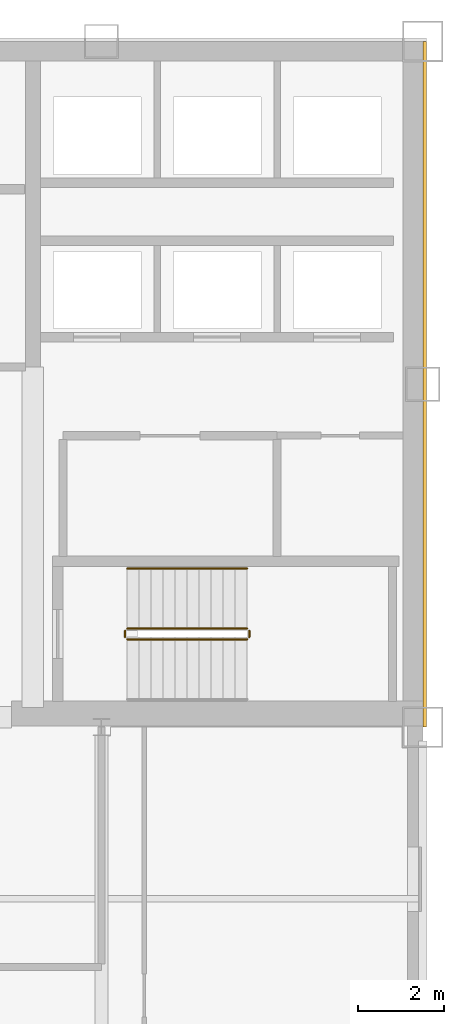
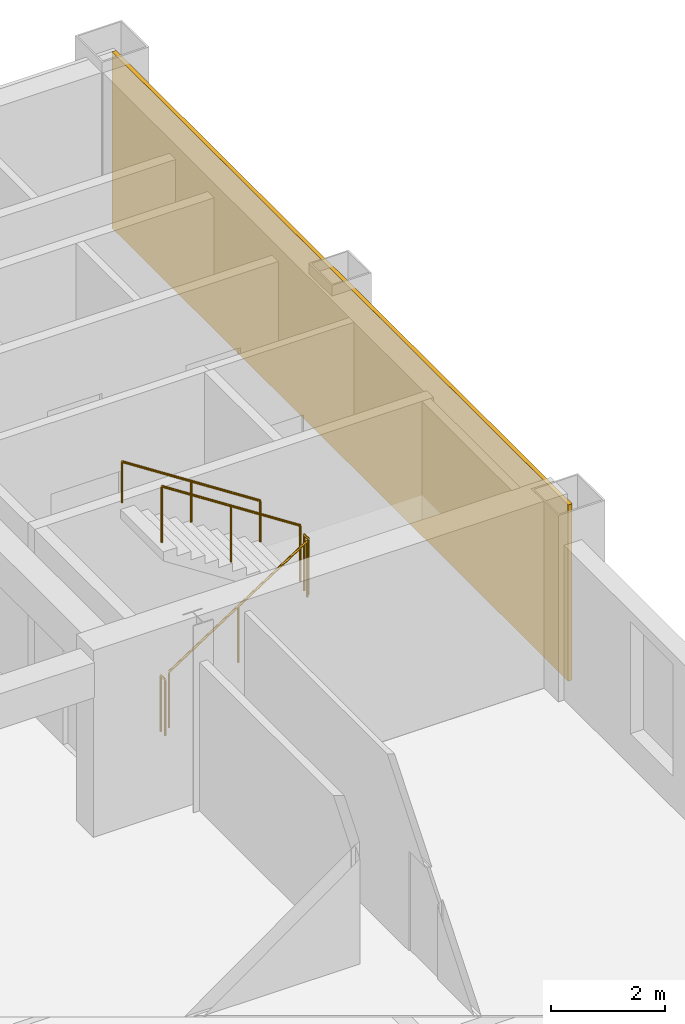
# One storey, part 8 of 10: 5 railings, 1 covering.
"""IFC4 building model written with IfcOpenShell, lengths in metres."""

import ifcopenshell
import ifcopenshell.guid

model = None  # the IFC model being written
_history = None  # IfcOwnerHistory: only IFC2X3 demands one
_inside = {}  # id of a spatial element -> (the spatial element, [elements in it])
_under = {}  # id of a project, library or spatial element -> (it, [spatial elements below it])
_declared = {}  # id of a project -> (the project, [libraries it declares])
_typed = {}  # id of a type object -> (the type object, [elements of that type])
_made_of = {}  # id of a material, layer set ... -> (it, [elements and type objects made of it])


def new_model(schema):
    """Start an empty IFC model of exactly this schema.

    Asked for "IFC4X3", IfcOpenShell would pick the latest addendum, in which some entities
    have other attributes; the version numbers below select the first issue.
    IFC2X3 requires an IfcOwnerHistory on every rooted entity: one is made here for all.
    """
    global model, _history
    if schema == "IFC4X3":
        model = ifcopenshell.file(schema_version=(4, 3, 0, 0))
    else:
        model = ifcopenshell.file(schema=schema)
    _inside.clear()
    _under.clear()
    _declared.clear()
    _typed.clear()
    _made_of.clear()
    _history = None
    if model.schema == "IFC2X3":
        org = make("IfcOrganization", Name="unknown")
        user = make(
            "IfcPersonAndOrganization",
            ThePerson=make("IfcPerson", FamilyName="unknown"),
            TheOrganization=org,
        )
        app = make(
            "IfcApplication",
            ApplicationDeveloper=org,
            Version="unknown",
            ApplicationFullName="unknown",
            ApplicationIdentifier="unknown",
        )
        _history = make(
            "IfcOwnerHistory",
            OwningUser=user,
            OwningApplication=app,
            ChangeAction="ADDED",
            CreationDate=0,
        )
    return model


def make(cls, **values):
    """One entity of the class cls with the attributes given. An attribute that is None is left unset."""
    return model.create_entity(
        cls, **{name: value for name, value in values.items() if value is not None}
    )


def rooted(cls, **values):
    """An entity with a GlobalId (a new one), such as an element, a storey or a relation."""
    return make(cls, GlobalId=ifcopenshell.guid.new(), OwnerHistory=_history, **values)


def si_unit(unit_type, name, prefix=None):
    """IfcSIUnit, for example si_unit("LENGTHUNIT", "METRE", prefix="MILLI")."""
    return make("IfcSIUnit", UnitType=unit_type, Prefix=prefix, Name=name)


def assignment(units):
    """IfcUnitAssignment: the units of a project."""
    return None if units is None else make("IfcUnitAssignment", Units=units)


def point(xyz):
    """IfcCartesianPoint."""
    return None if xyz is None else make("IfcCartesianPoint", Coordinates=xyz)


def direction(xyz):
    """IfcDirection."""
    return None if xyz is None else make("IfcDirection", DirectionRatios=xyz)


def frame(location, z_axis=None, x_axis=None):
    """IfcAxis2Placement3D, a coordinate frame: its origin and axes. An axis left out is left unset."""
    return make(
        "IfcAxis2Placement3D",
        Location=point(location),
        Axis=direction(z_axis),
        RefDirection=direction(x_axis),
    )


def frame_2d(location, x_axis=None):
    """IfcAxis2Placement2D, a coordinate frame in the plane: its origin and x axis."""
    return make(
        "IfcAxis2Placement2D", Location=point(location), RefDirection=direction(x_axis)
    )


def origin():
    """The frame at (0, 0, 0) with its axes left unset."""
    return frame((0.0, 0.0, 0.0))


def origin_2d():
    """The frame at (0, 0) in the plane with its x axis left unset."""
    return frame_2d((0.0, 0.0))


def place(relative_to, where):
    """IfcLocalPlacement: puts the frame where relative to a parent placement (None: the world)."""
    return make(
        "IfcLocalPlacement", PlacementRelTo=relative_to, RelativePlacement=where
    )


def context(
    kind, dimensions, precision=None, world=None, true_north=None, identifier=None
):
    """IfcGeometricRepresentationContext, for example the 3D "Model" context."""
    return make(
        "IfcGeometricRepresentationContext",
        ContextIdentifier=identifier,
        ContextType=kind,
        CoordinateSpaceDimension=dimensions,
        Precision=precision,
        WorldCoordinateSystem=world,
        TrueNorth=true_north,
    )


def subcontext(parent, identifier, kind, view, scale=None):
    """IfcGeometricRepresentationSubContext, for example "Body" below "Model"."""
    return make(
        "IfcGeometricRepresentationSubContext",
        ContextIdentifier=identifier,
        ContextType=kind,
        ParentContext=parent,
        TargetScale=scale,
        TargetView=view,
    )


def project(units=None, contexts=None):
    """IfcProject with its units and contexts."""
    return rooted(
        "IfcProject",
        Name="project",
        RepresentationContexts=contexts,
        UnitsInContext=assignment(units),
    )


def spatial(cls, under=None, at=None, **own):
    """A site, building, storey or space (cls), placed at a placement, below another one or the project."""
    s = rooted(cls, ObjectPlacement=at, **own)
    if under is not None:
        _under.setdefault(under.id(), (under, []))[1].append(s)
    return s


def profile(cls, at=None, kind="AREA", **sizes):
    """A parametric profile (cls). Its sizes go by their IFC names, for example OverallWidth=200.0."""
    return make(cls, ProfileType=kind, Position=at, **sizes)


def rectangle(**sizes):
    """IfcRectangleProfileDef."""
    return profile("IfcRectangleProfileDef", **sizes)


def circle(**sizes):
    """IfcCircleProfileDef."""
    return profile("IfcCircleProfileDef", **sizes)


def extrude(swept, where, along, depth):
    """IfcExtrudedAreaSolid: the profile swept, set in the frame where, extruded along a direction by depth."""
    return make(
        "IfcExtrudedAreaSolid",
        SweptArea=swept,
        Position=where,
        ExtrudedDirection=direction(along),
        Depth=depth,
    )


def shape(context_of_items, identifier, shape_type, items):
    """IfcShapeRepresentation: the items that make up one representation, for example the "Body"."""
    return make(
        "IfcShapeRepresentation",
        ContextOfItems=context_of_items,
        RepresentationIdentifier=identifier,
        RepresentationType=shape_type,
        Items=items,
    )


def material(Name=None, Category=None):
    """IfcMaterial."""
    return make("IfcMaterial", Name=Name, Category=Category)


def layer(
    of_material, thickness, ventilated=None, Name=None, Category=None, Priority=None
):
    """IfcMaterialLayer: one layer of a wall or slab, of a material (None: an air gap)."""
    return make(
        "IfcMaterialLayer",
        Material=of_material,
        LayerThickness=thickness,
        IsVentilated=ventilated,
        Name=Name,
        Category=Category,
        Priority=Priority,
    )


def layer_set(layers, Name=None):
    """IfcMaterialLayerSet."""
    return make("IfcMaterialLayerSet", MaterialLayers=layers, LayerSetName=Name)


def made_of(thing, what):
    """Note that an element or type object is made of a material, layer set ...; save() writes the relation."""
    if what is not None:
        _made_of.setdefault(what.id(), (what, []))[1].append(thing)
    return thing


def type_object(cls, material=None, **own):
    """A type object (cls), such as IfcWallType, which elements share."""
    return made_of(rooted(cls, **own), material)


def element(
    cls,
    number,
    at=None,
    inside=None,
    cuts=None,
    type_object=None,
    material=None,
    context=None,
    identifier="Body",
    shape_type=None,
    held_by="IfcProductDefinitionShape",
    body=None,
    shapes=None,
    **own,
):
    """One element of the class cls, such as IfcWall. Its Tag is "e" and its number.

    at: its placement. inside: the storey or other place that contains it. cuts: it is an
    opening in that element (IfcRelVoidsElement). A single representation is given by context,
    identifier, shape_type and body (its items); several are given by shapes. held_by: the class
    of the entity that holds the representations. save() writes the other relations.
    """
    e = rooted(cls, Tag="e%d" % number, ObjectPlacement=at, **own)
    if body is not None:
        shapes = [shape(context, identifier, shape_type, body)]
    if shapes is not None:
        e.Representation = make(held_by, Representations=shapes)
    if inside is not None:
        _inside.setdefault(inside.id(), (inside, []))[1].append(e)
    if cuts is not None:
        rooted(
            "IfcRelVoidsElement", RelatingBuildingElement=cuts, RelatedOpeningElement=e
        )
    if type_object is not None:
        _typed.setdefault(type_object.id(), (type_object, []))[1].append(e)
    return made_of(e, material)


def aggregate(whole, parts):
    """IfcRelAggregates: a whole, such as a stair, and the parts it consists of."""
    return rooted("IfcRelAggregates", RelatingObject=whole, RelatedObjects=parts)


def save(model, path):
    """Write the relations noted so far, then the file.

    IfcRelAggregates (storeys below a building ...), IfcRelContainedInSpatialStructure (elements
    in a storey), IfcRelDefinesByType, IfcRelAssociatesMaterial and IfcRelDeclares: one each for
    every whole, place, type object, material and project.
    """
    for whole, parts in _under.values():
        aggregate(whole, parts)
    for where, things in _inside.values():
        rooted(
            "IfcRelContainedInSpatialStructure",
            RelatedElements=things,
            RelatingStructure=where,
        )
    for kind, things in _typed.values():
        rooted("IfcRelDefinesByType", RelatedObjects=things, RelatingType=kind)
    for what, things in _made_of.values():
        rooted("IfcRelAssociatesMaterial", RelatedObjects=things, RelatingMaterial=what)
    for by, libraries in _declared.values():
        rooted("IfcRelDeclares", RelatingContext=by, RelatedDefinitions=libraries)
    model.write(path)


model = new_model("IFC4")

# Units and contexts
model_context = context("Model", 3, precision=1e-05, world=origin(), true_north=direction((0.0, 1.0)))
body_context = subcontext(model_context, "Body", "Model", "MODEL_VIEW")
ifc_project = project(units=[si_unit("LENGTHUNIT", "METRE"), si_unit("AREAUNIT", "SQUARE_METRE"), si_unit("VOLUMEUNIT", "CUBIC_METRE"), si_unit("PLANEANGLEUNIT", "RADIAN"), si_unit("MASSUNIT", "GRAM", prefix="KILO")], contexts=[model_context])

# Site, building, storey
site_placement = place(None, origin())
site = spatial("IfcSite", under=ifc_project, at=site_placement, CompositionType="ELEMENT")
building_placement = place(site_placement, origin())
building = spatial("IfcBuilding", under=site, at=building_placement, Name="Qianrong Seaharbour Tower", CompositionType="ELEMENT")
storey_placement = place(building_placement, frame((0.0, 0.0, 245.800048828125)))
storey = spatial("IfcBuildingStorey", under=building, at=storey_placement, Name="L59", CompositionType="ELEMENT", Elevation=245.800048828125)

# Covering
ifc_material_1 = material(Name="Unitised red brick cladding on Precast concrete C45/55", Category="masonry")
ifc_layer = layer(ifc_material_1, 0.080078125)
ifc_layer_set = layer_set([ifc_layer], Name="Unitised red brick cladding on Precast concrete C45/55")
covering_type = type_object("IfcCoveringType", Name="COV-CLAD-RED-BRICK-80", PredefinedType="CLADDING", material=ifc_layer_set)
covering_placement = place(storey_placement, frame((64.0400390625, 44.0, 0.0), z_axis=(0.0, 0.0, 1.0), x_axis=(1.0, 0.0, 0.0)))
element("IfcCovering", 1, at=covering_placement, inside=storey, type_object=covering_type, Name="L59 East Core Brick Veneer Cladding", PredefinedType="CLADDING", context=body_context, shape_type="SweptSolid", body=[
    extrude(rectangle(XDim=0.080078125, YDim=16.0, at=origin_2d()), origin(), (0.0, 0.0, 1.0), 3.77490234375),
])

# Railings
ifc_material_2 = material(Name="Galvanized painted steel SN400B stair guard", Category="steel")
railing_type_1 = type_object("IfcRailingType", Name="RAIL-STAIR-GUARD-1220", PredefinedType="GUARDRAIL", material=ifc_material_2)
railing_1_placement = place(storey_placement, frame((57.10009765625, 38.050048828125, 0.181884765625)))
element("IfcRailing", 2, at=railing_1_placement, inside=storey, type_object=railing_type_1, Name="L59 ST-2 stair guard 1", PredefinedType="GUARDRAIL", context=body_context, shape_type="SweptSolid", body=[
    extrude(circle(Radius=0.02392578125, at=origin_2d()), frame((0.0, 0.0, 1.19580078125), z_axis=(0.83868413941, 0.0, 0.544618136222), x_axis=(0.0, 1.0, 0.0)), (0.0, 0.0, 1.0), 3.33837890625),
    extrude(circle(Radius=0.02099609375, at=origin_2d()), origin(), (0.0, 0.0, 1.0), 1.171875),
    extrude(circle(Radius=0.02099609375, at=origin_2d()), frame((1.39990234375, 0.0, 0.9091796875)), (0.0, 0.0, 1.0), 1.171875),
    extrude(circle(Radius=0.02099609375, at=origin_2d()), frame((2.7998046875, 0.0, 1.818115234375)), (0.0, 0.0, 1.0), 1.171875),
])
railing_2_placement = place(storey_placement, frame((59.949951171875, 38.10009765625, 2.0)))
element("IfcRailing", 3, at=railing_2_placement, inside=storey, type_object=railing_type_1, Name="L59 ST-2 stair guard 2", PredefinedType="GUARDRAIL", context=body_context, shape_type="SweptSolid", body=[
    extrude(circle(Radius=0.02392578125, at=origin_2d()), frame((0.0, 0.0, 1.19580078125), z_axis=(0.0, 1.0, 0.0), x_axis=(-1.0, 0.0, 0.0)), (0.0, 0.0, 1.0), 0.14990234375),
    extrude(circle(Radius=0.02099609375, at=origin_2d()), origin(), (0.0, 0.0, 1.0), 1.171875),
    extrude(circle(Radius=0.02099609375, at=origin_2d()), frame((0.0, 0.14990234375, 0.0)), (0.0, 0.0, 1.0), 1.171875),
])
railing_3_placement = place(storey_placement, frame((59.89990234375, 38.300048828125, 2.181884765625)))
element("IfcRailing", 4, at=railing_3_placement, inside=storey, type_object=railing_type_1, Name="L59 ST-2 stair guard 3", PredefinedType="GUARDRAIL", context=body_context, shape_type="SweptSolid", body=[
    extrude(circle(Radius=0.02392578125, at=origin_2d()), frame((0.0, 0.0, 1.19580078125), z_axis=(-0.83868413941, 0.0, 0.544618136222), x_axis=(0.0, -1.0, 0.0)), (0.0, 0.0, 1.0), 3.33837890625),
    extrude(circle(Radius=0.02099609375, at=origin_2d()), origin(), (0.0, 0.0, 1.0), 1.171875),
    extrude(circle(Radius=0.02099609375, at=origin_2d()), frame((-1.39990234375, 0.0, 0.9091796875)), (0.0, 0.0, 1.0), 1.171875),
    extrude(circle(Radius=0.02099609375, at=origin_2d()), frame((-2.7998046875, 0.0, 1.818115234375)), (0.0, 0.0, 1.0), 1.171875),
])
railing_4_placement = place(storey_placement, frame((57.050048828125, 38.10009765625, 0.0)))
element("IfcRailing", 5, at=railing_4_placement, inside=storey, type_object=railing_type_1, Name="L59 ST-2 stair guard 4", PredefinedType="GUARDRAIL", context=body_context, shape_type="SweptSolid", body=[
    extrude(circle(Radius=0.02392578125, at=origin_2d()), frame((0.0, 0.0, 1.19580078125), z_axis=(0.0, 1.0, 0.0), x_axis=(-1.0, 0.0, 0.0)), (0.0, 0.0, 1.0), 0.14990234375),
    extrude(circle(Radius=0.02099609375, at=origin_2d()), origin(), (0.0, 0.0, 1.0), 1.171875),
    extrude(circle(Radius=0.02099609375, at=origin_2d()), frame((0.0, 0.14990234375, 0.0)), (0.0, 0.0, 1.0), 1.171875),
])
ifc_material_3 = material(Name="Stainless steel SUS316L continuous handrail", Category="steel")
railing_type_2 = type_object("IfcRailingType", Name="RAIL-STAIR-HANDRAIL-900", PredefinedType="HANDRAIL", material=ifc_material_3)
railing_5_placement = place(storey_placement, frame((59.89990234375, 39.699951171875, 2.181884765625)))
element("IfcRailing", 6, at=railing_5_placement, inside=storey, type_object=railing_type_2, Name="L59 ST-2 stair handrail 2", PredefinedType="HANDRAIL", context=body_context, shape_type="SweptSolid", body=[
    extrude(circle(Radius=0.02392578125, at=origin_2d()), frame((0.0, 0.0, 0.8759765625), z_axis=(-0.83868413941, 0.0, 0.544618136222), x_axis=(0.0, -1.0, 0.0)), (0.0, 0.0, 1.0), 3.33837890625),
    extrude(circle(Radius=0.02099609375, at=origin_2d()), origin(), (0.0, 0.0, 1.0), 0.851806640625),
    extrude(circle(Radius=0.02099609375, at=origin_2d()), frame((-1.39990234375, 0.0, 0.9091796875)), (0.0, 0.0, 1.0), 0.851806640625),
    extrude(circle(Radius=0.02099609375, at=origin_2d()), frame((-2.7998046875, 0.0, 1.818115234375)), (0.0, 0.0, 1.0), 0.851806640625),
])

save(model, "model.ifc")
